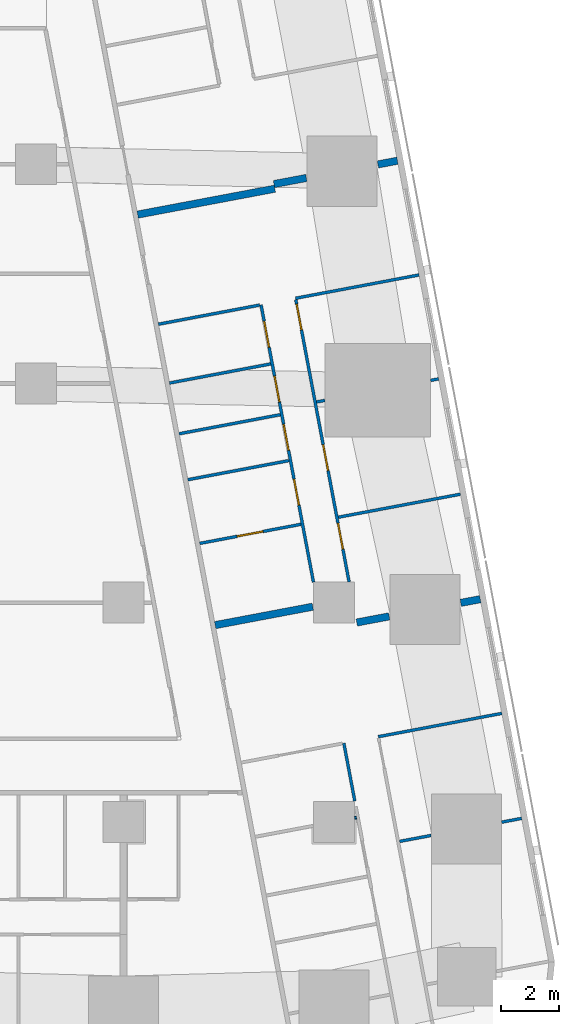
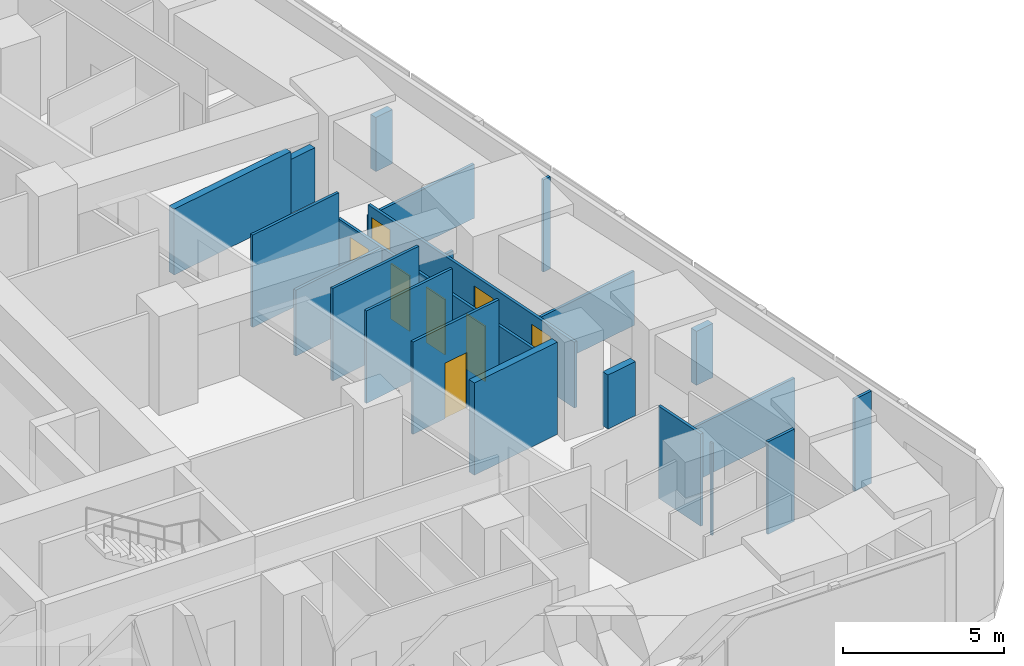
# One storey, part 11 of 17: 22 walls, 8 doors, 8 openings.
"""IFC4 building model written with IfcOpenShell, lengths in metres."""

from ifc_helpers import new_model, si_unit, direction, frame, frame_2d, origin, place, context, subcontext, project, spatial, rectangle, extrude, material, layer, layer_set, type_object, element, fill, save


model = new_model("IFC4")

# Units and contexts
model_context = context("Model", 3, precision=1e-05, world=origin(), true_north=direction((0.0, 1.0)))
body_context = subcontext(model_context, "Body", "Model", "MODEL_VIEW")
ifc_project = project(units=[si_unit("LENGTHUNIT", "METRE"), si_unit("AREAUNIT", "SQUARE_METRE"), si_unit("VOLUMEUNIT", "CUBIC_METRE"), si_unit("PLANEANGLEUNIT", "RADIAN"), si_unit("MASSUNIT", "GRAM", prefix="KILO")], contexts=[model_context])

# Site, building, storey
site_placement = place(None, origin())
site = spatial("IfcSite", under=ifc_project, at=site_placement, CompositionType="ELEMENT")
building_placement = place(site_placement, origin())
building = spatial("IfcBuilding", under=site, at=building_placement, Name="Sheger Commons Tower", CompositionType="ELEMENT")
storey_placement = place(building_placement, frame((0.0, 0.0, 212.449951171875)))
storey = spatial("IfcBuildingStorey", under=building, at=storey_placement, Name="L54", CompositionType="ELEMENT", Elevation=212.449951171875)

# Walls
ifc_material_1 = material(Name="Dense concrete block masonry, plastered both sides (separating wall between flats)", Category="masonry")
ifc_layer_1 = layer(ifc_material_1, 0.25)
ifc_layer_set_1 = layer_set([ifc_layer_1], Name="DEMISING WALL 250")
wall_type_1 = type_object("IfcWallType", Name="DEMISING WALL 250", PredefinedType="SOLIDWALL", material=ifc_layer_set_1)
wall_1_placement = place(storey_placement, frame((45.3720703125, 30.12109375, 0.0), z_axis=(0.0, 0.0, 1.0), x_axis=(-0.982347993061, -0.187062611252, 0.0)))
element("IfcWall", 1, at=wall_1_placement, inside=storey, type_object=wall_type_1, Name="Demising wall L54", PredefinedType="SOLIDWALL", context=body_context, shape_type="SweptSolid", body=[
    extrude(rectangle(XDim=0.679931640625, YDim=0.25, at=frame_2d((0.33984375, 0.0))), origin(), (0.0, 0.0, 1.0), 2.050048828125),
])
wall_2_placement = place(storey_placement, frame((42.256103515625, 29.531982421875, 0.0), z_axis=(0.0, 0.0, 1.0), x_axis=(-0.982549954272, -0.185998890749, 0.0)))
element("IfcWall", 2, at=wall_2_placement, inside=storey, type_object=wall_type_1, Name="Demising wall L54", PredefinedType="SOLIDWALL", context=body_context, shape_type="SweptSolid", body=[
    extrude(rectangle(XDim=1.12890625, YDim=0.25, at=frame_2d((0.564453125, 0.0))), origin(), (0.0, 0.0, 1.0), 2.050048828125),
])
wall_3_placement = place(storey_placement, frame((41.177001953125, 29.1640625, 0.0), z_axis=(0.0, 0.0, 1.0), x_axis=(-0.982642846239, -0.185507511263, 0.0)))
element("IfcWall", 3, at=wall_3_placement, inside=storey, type_object=wall_type_1, Name="Demising wall L54", PredefinedType="SOLIDWALL", context=body_context, shape_type="SweptSolid", body=[
    extrude(rectangle(XDim=4.776123046875, YDim=0.25, at=frame_2d((2.38818359375, 0.0))), origin(), (0.0, 0.0, 1.0), 2.5),
])
wall_4_placement = place(storey_placement, frame((48.2060546875, 15.1201171875, 0.0), z_axis=(0.0, 0.0, 1.0), x_axis=(-0.982610999048, -0.18567612811, 0.0)))
element("IfcWall", 4, at=wall_4_placement, inside=storey, type_object=wall_type_1, Name="Demising wall L54", PredefinedType="SOLIDWALL", context=body_context, shape_type="SweptSolid", body=[
    extrude(rectangle(XDim=0.6796875, YDim=0.25, at=frame_2d((0.33984375, 0.0))), origin(), (0.0, 0.0, 1.0), 2.050048828125),
])
wall_5_placement = place(storey_placement, frame((45.090087890625, 14.531005859375, 0.0), z_axis=(0.0, 0.0, 1.0), x_axis=(-0.982737354171, -0.185006196431, 0.0)))
element("IfcWall", 5, at=wall_5_placement, inside=storey, type_object=wall_type_1, Name="Demising wall L54", PredefinedType="SOLIDWALL", context=body_context, shape_type="SweptSolid", body=[
    extrude(rectangle(XDim=1.129638671875, YDim=0.25, at=frame_2d((0.56494140625, 0.0))), origin(), (0.0, 0.0, 1.0), 2.050048828125),
])
wall_6_placement = place(storey_placement, frame((42.47607421875, 14.863037109375, 0.0), z_axis=(0.0, 0.0, 1.0), x_axis=(-0.982603567712, -0.185715450942, 0.0)))
element("IfcWall", 6, at=wall_6_placement, inside=storey, type_object=wall_type_1, Name="Demising wall L54", PredefinedType="SOLIDWALL", context=body_context, shape_type="SweptSolid", body=[
    extrude(rectangle(XDim=3.398193359375, YDim=0.25, at=frame_2d((1.69921875, 0.0))), origin(), (0.0, 0.0, 1.0), 3.5),
])

# Wall, openings, doors
ifc_material_2 = material(Name="Gypsum board on steel studs", Category="steel")
ifc_layer_2 = layer(ifc_material_2, 0.10009765625)
ifc_layer_set_2 = layer_set([ifc_layer_2], Name="PARTITION 100")
wall_type_2 = type_object("IfcWallType", Name="PARTITION 100", PredefinedType="PARTITIONING", material=ifc_layer_set_2)
wall_7_placement = place(storey_placement, frame((41.89404296875, 25.365966796875, 0.0), z_axis=(0.0, 0.0, 1.0), x_axis=(0.185612905165, -0.982622943675, 0.0)))
wall_7 = element("IfcWall", 7, at=wall_7_placement, inside=storey, type_object=wall_type_2, Name="Partition L54", PredefinedType="PARTITIONING", context=body_context, shape_type="SweptSolid", body=[
    extrude(rectangle(XDim=9.82666015625, YDim=0.10009765625, at=frame_2d((4.913330078125, 0.0))), origin(), (0.0, 0.0, 1.0), 2.5),
])
opening_1_placement = place(wall_7_placement, frame((0.15087890625, 0.0, 0.0)))
opening_1 = element("IfcOpeningElement", 8, at=opening_1_placement, cuts=wall_7, Name="Opening D2", PredefinedType="OPENING", context=body_context, shape_type="SweptSolid", body=[
    extrude(rectangle(XDim=0.89990234375, YDim=2.10009765625, at=frame_2d((0.449951171875, 1.050048828125))), frame((0.0, 0.06005859375, 0.0), z_axis=(0.0, -1.0, 0.0), x_axis=(1.0, 0.0, 0.0)), (0.0, 0.0, 1.0), 0.1201171875),
])
opening_2_placement = place(wall_7_placement, frame((5.050048828125, 0.0, 0.0)))
opening_2 = element("IfcOpeningElement", 9, at=opening_2_placement, cuts=wall_7, Name="Opening D2", PredefinedType="OPENING", context=body_context, shape_type="SweptSolid", body=[
    extrude(rectangle(XDim=0.89990234375, YDim=2.10009765625, at=frame_2d((0.449951171875, 1.050048828125))), frame((0.0, 0.06005859375, 0.0), z_axis=(0.0, -1.0, 0.0), x_axis=(1.0, 0.0, 0.0)), (0.0, 0.0, 1.0), 0.1201171875),
])
opening_3_placement = place(wall_7_placement, frame((7.782958984375, 0.0, 0.0)))
opening_3 = element("IfcOpeningElement", 10, at=opening_3_placement, cuts=wall_7, Name="Opening D2", PredefinedType="OPENING", context=body_context, shape_type="SweptSolid", body=[
    extrude(rectangle(XDim=0.89990234375, YDim=2.10009765625, at=frame_2d((0.449951171875, 1.050048828125))), frame((0.0, 0.06005859375, 0.0), z_axis=(0.0, -1.0, 0.0), x_axis=(1.0, 0.0, 0.0)), (0.0, 0.0, 1.0), 0.1201171875),
])
ifc_material_3 = material(Name="Timber door set", Category="wood")
door_type = type_object("IfcDoorType", Name="INTERNAL DOOR 900x2100", OperationType="NOTDEFINED", PredefinedType="DOOR", material=ifc_material_3)
door_1_placement = place(opening_1_placement, origin())
door_1 = element("IfcDoor", 11, at=door_1_placement, inside=storey, type_object=door_type, Name="Main bedroom door", OperationType="SINGLE_SWING_LEFT", OverallHeight=2.10009765625, OverallWidth=0.89990234375, PredefinedType="DOOR", context=body_context, shape_type="SweptSolid", body=[
    extrude(rectangle(XDim=0.89990234375, YDim=2.10009765625, at=frame_2d((0.449951171875, 1.050048828125))), frame((0.0, 0.02490234375, 0.0), z_axis=(0.0, -1.0, 0.0), x_axis=(1.0, 0.0, 0.0)), (0.0, 0.0, 1.0), 0.050048828125),
])
fill(opening_1, door_1)
door_2_placement = place(opening_2_placement, origin())
door_2 = element("IfcDoor", 12, at=door_2_placement, inside=storey, type_object=door_type, Name="Bedroom 2 door", OperationType="SINGLE_SWING_LEFT", OverallHeight=2.10009765625, OverallWidth=0.89990234375, PredefinedType="DOOR", context=body_context, shape_type="SweptSolid", body=[
    extrude(rectangle(XDim=0.89990234375, YDim=2.10009765625, at=frame_2d((0.449951171875, 1.050048828125))), frame((0.0, 0.02490234375, 0.0), z_axis=(0.0, -1.0, 0.0), x_axis=(1.0, 0.0, 0.0)), (0.0, 0.0, 1.0), 0.050048828125),
])
fill(opening_2, door_2)
door_3_placement = place(opening_3_placement, origin())
door_3 = element("IfcDoor", 13, at=door_3_placement, inside=storey, type_object=door_type, Name="Bedroom 3 door", OperationType="SINGLE_SWING_LEFT", OverallHeight=2.10009765625, OverallWidth=0.89990234375, PredefinedType="DOOR", context=body_context, shape_type="SweptSolid", body=[
    extrude(rectangle(XDim=0.89990234375, YDim=2.10009765625, at=frame_2d((0.449951171875, 1.050048828125))), frame((0.0, 0.02490234375, 0.0), z_axis=(0.0, -1.0, 0.0), x_axis=(1.0, 0.0, 0.0)), (0.0, 0.0, 1.0), 0.050048828125),
])
fill(opening_3, door_3)

wall_8_placement = place(storey_placement, frame((40.7060546875, 25.19189453125, 0.0), z_axis=(0.0, 0.0, 1.0), x_axis=(0.185629824463, -0.982619747547, 0.0)))
wall_8 = element("IfcWall", 14, at=wall_8_placement, inside=storey, type_object=wall_type_2, Name="Partition L54", PredefinedType="PARTITIONING", context=body_context, shape_type="SweptSolid", body=[
    extrude(rectangle(XDim=9.658935546875, YDim=0.10009765625, at=frame_2d((4.82958984375, 0.0))), origin(), (0.0, 0.0, 1.0), 2.5),
])
opening_4_placement = place(wall_8_placement, frame((0.574951171875, 0.0, 0.0)))
opening_4 = element("IfcOpeningElement", 15, at=opening_4_placement, cuts=wall_8, Name="Opening D2", PredefinedType="OPENING", context=body_context, shape_type="SweptSolid", body=[
    extrude(rectangle(XDim=0.89990234375, YDim=2.10009765625, at=frame_2d((0.449951171875, 1.050048828125))), frame((0.0, 0.06005859375, 0.0), z_axis=(0.0, -1.0, 0.0), x_axis=(1.0, 0.0, 0.0)), (0.0, 0.0, 1.0), 0.1201171875),
])
opening_5_placement = place(wall_8_placement, frame((4.166015625, 0.0, 0.0)))
opening_5 = element("IfcOpeningElement", 16, at=opening_5_placement, cuts=wall_8, Name="Opening D2", PredefinedType="OPENING", context=body_context, shape_type="SweptSolid", body=[
    extrude(rectangle(XDim=0.89990234375, YDim=2.10009765625, at=frame_2d((0.449951171875, 1.050048828125))), frame((0.0, 0.06005859375, 0.0), z_axis=(0.0, -1.0, 0.0), x_axis=(1.0, 0.0, 0.0)), (0.0, 0.0, 1.0), 0.1201171875),
])
opening_6_placement = place(wall_8_placement, frame((2.48291015625, 0.0, 0.0)))
opening_6 = element("IfcOpeningElement", 17, at=opening_6_placement, cuts=wall_8, Name="Opening D2", PredefinedType="OPENING", context=body_context, shape_type="SweptSolid", body=[
    extrude(rectangle(XDim=0.89990234375, YDim=2.10009765625, at=frame_2d((0.449951171875, 1.050048828125))), frame((0.0, 0.06005859375, 0.0), z_axis=(0.0, -1.0, 0.0), x_axis=(1.0, 0.0, 0.0)), (0.0, 0.0, 1.0), 0.1201171875),
])
opening_7_placement = place(wall_8_placement, frame((6.073974609375, 0.0, 0.0)))
opening_7 = element("IfcOpeningElement", 18, at=opening_7_placement, cuts=wall_8, Name="Opening D2", PredefinedType="OPENING", context=body_context, shape_type="SweptSolid", body=[
    extrude(rectangle(XDim=0.89990234375, YDim=2.10009765625, at=frame_2d((0.449951171875, 1.050048828125))), frame((0.0, 0.06005859375, 0.0), z_axis=(0.0, -1.0, 0.0), x_axis=(1.0, 0.0, 0.0)), (0.0, 0.0, 1.0), 0.1201171875),
])
door_4_placement = place(opening_4_placement, origin())
door_4 = element("IfcDoor", 19, at=door_4_placement, inside=storey, type_object=door_type, Name="Bathroom door", OperationType="SINGLE_SWING_RIGHT", OverallHeight=2.10009765625, OverallWidth=0.89990234375, PredefinedType="DOOR", context=body_context, shape_type="SweptSolid", body=[
    extrude(rectangle(XDim=0.89990234375, YDim=2.10009765625, at=frame_2d((0.449951171875, 1.050048828125))), frame((0.0, 0.02490234375, 0.0), z_axis=(0.0, -1.0, 0.0), x_axis=(1.0, 0.0, 0.0)), (0.0, 0.0, 1.0), 0.050048828125),
])
fill(opening_4, door_4)
door_5_placement = place(opening_5_placement, origin())
door_5 = element("IfcDoor", 20, at=door_5_placement, inside=storey, type_object=door_type, Name="Shower room door", OperationType="SINGLE_SWING_LEFT", OverallHeight=2.10009765625, OverallWidth=0.89990234375, PredefinedType="DOOR", context=body_context, shape_type="SweptSolid", body=[
    extrude(rectangle(XDim=0.89990234375, YDim=2.10009765625, at=frame_2d((0.449951171875, 1.050048828125))), frame((0.0, 0.02490234375, 0.0), z_axis=(0.0, -1.0, 0.0), x_axis=(1.0, 0.0, 0.0)), (0.0, 0.0, 1.0), 0.050048828125),
])
fill(opening_5, door_5)
door_6_placement = place(opening_6_placement, origin())
door_6 = element("IfcDoor", 21, at=door_6_placement, inside=storey, type_object=door_type, Name="Store door", OperationType="SINGLE_SWING_LEFT", OverallHeight=2.10009765625, OverallWidth=0.89990234375, PredefinedType="DOOR", context=body_context, shape_type="SweptSolid", body=[
    extrude(rectangle(XDim=0.89990234375, YDim=2.10009765625, at=frame_2d((0.449951171875, 1.050048828125))), frame((0.0, 0.02490234375, 0.0), z_axis=(0.0, -1.0, 0.0), x_axis=(1.0, 0.0, 0.0)), (0.0, 0.0, 1.0), 0.050048828125),
])
fill(opening_6, door_6)
door_7_placement = place(opening_7_placement, origin())
door_7 = element("IfcDoor", 22, at=door_7_placement, inside=storey, type_object=door_type, Name="Store door", OperationType="SINGLE_SWING_RIGHT", OverallHeight=2.10009765625, OverallWidth=0.89990234375, PredefinedType="DOOR", context=body_context, shape_type="SweptSolid", body=[
    extrude(rectangle(XDim=0.89990234375, YDim=2.10009765625, at=frame_2d((0.449951171875, 1.050048828125))), frame((0.0, 0.02490234375, 0.0), z_axis=(0.0, -1.0, 0.0), x_axis=(1.0, 0.0, 0.0)), (0.0, 0.0, 1.0), 0.050048828125),
])
fill(opening_7, door_7)

# Walls
wall_9_placement = place(storey_placement, frame((46.110107421875, 26.212890625, 0.0), z_axis=(0.0, 0.0, 1.0), x_axis=(-0.982633535512, -0.185556823879, 0.0)))
element("IfcWall", 23, at=wall_9_placement, inside=storey, type_object=wall_type_2, Name="Partition L54", PredefinedType="PARTITIONING", context=body_context, shape_type="SweptSolid", body=[
    extrude(rectangle(XDim=4.2998046875, YDim=0.10009765625, at=frame_2d((2.14990234375, 0.0))), origin(), (0.0, 0.0, 1.0), 2.050048828125),
])
wall_10_placement = place(storey_placement, frame((46.781982421875, 22.656982421875, 0.0), z_axis=(0.0, 0.0, 1.0), x_axis=(-0.982574553168, -0.185868898601, 0.0)))
element("IfcWall", 24, at=wall_10_placement, inside=storey, type_object=wall_type_2, Name="Partition L54", PredefinedType="PARTITIONING", context=body_context, shape_type="SweptSolid", body=[
    extrude(rectangle(XDim=0.27978515625, YDim=0.10009765625, at=frame_2d((0.139892578125, 0.0))), origin(), (0.0, 0.0, 1.0), 3.5),
])
wall_11_placement = place(storey_placement, frame((42.886962890625, 21.9208984375, 0.0), z_axis=(0.0, 0.0, 1.0), x_axis=(-0.982688058078, -0.185267861514, 0.0)))
element("IfcWall", 25, at=wall_11_placement, inside=storey, type_object=wall_type_2, Name="Partition L54", PredefinedType="PARTITIONING", context=body_context, shape_type="SweptSolid", body=[
    extrude(rectangle(XDim=0.285888671875, YDim=0.10009765625, at=frame_2d((0.14306640625, 0.0))), origin(), (0.0, 0.0, 1.0), 2.5),
])
wall_12_placement = place(storey_placement, frame((47.527099609375, 18.7119140625, 0.0), z_axis=(0.0, 0.0, 1.0), x_axis=(-0.982665405803, -0.185387972203, 0.0)))
element("IfcWall", 26, at=wall_12_placement, inside=storey, type_object=wall_type_2, Name="Partition L54", PredefinedType="PARTITIONING", context=body_context, shape_type="SweptSolid", body=[
    extrude(rectangle(XDim=4.249755859375, YDim=0.10009765625, at=frame_2d((2.125, 0.0))), origin(), (0.0, 0.0, 1.0), 2.050048828125),
])
wall_13_placement = place(storey_placement, frame((40.656982421875, 25.18310546875, 0.0), z_axis=(0.0, 0.0, 1.0), x_axis=(-0.982585626838, -0.185810349366, 0.0)))
element("IfcWall", 27, at=wall_13_placement, inside=storey, type_object=wall_type_2, Name="Partition L54", PredefinedType="PARTITIONING", context=body_context, shape_type="SweptSolid", body=[
    extrude(rectangle(XDim=3.525146484375, YDim=0.10009765625, at=frame_2d((1.7626953125, 0.0))), origin(), (0.0, 0.0, 1.0), 3.5),
])
wall_14_placement = place(storey_placement, frame((41.364990234375, 21.43310546875, 0.0), z_axis=(0.0, 0.0, 1.0), x_axis=(-0.982638553676, -0.185530247748, 0.0)))
element("IfcWall", 28, at=wall_14_placement, inside=storey, type_object=wall_type_2, Name="Partition L54", PredefinedType="PARTITIONING", context=body_context, shape_type="SweptSolid", body=[
    extrude(rectangle(XDim=3.525390625, YDim=0.10009765625, at=frame_2d((1.7626953125, 0.0))), origin(), (0.0, 0.0, 1.0), 3.5),
])

# Wall, opening, door
wall_15_placement = place(storey_placement, frame((42.072998046875, 17.681884765625, 0.0), z_axis=(0.0, 0.0, 1.0), x_axis=(-0.98265117712, -0.185463376723, 0.0)))
wall_15 = element("IfcWall", 29, at=wall_15_placement, inside=storey, type_object=wall_type_2, Name="Partition L54", PredefinedType="PARTITIONING", context=body_context, shape_type="SweptSolid", body=[
    extrude(rectangle(XDim=3.525390625, YDim=0.10009765625, at=frame_2d((1.7626953125, 0.0))), origin(), (0.0, 0.0, 1.0), 3.5),
])
opening_8_placement = place(wall_15_placement, frame((1.324951171875, 0.0, 0.0)))
opening_8 = element("IfcOpeningElement", 30, at=opening_8_placement, cuts=wall_15, Name="Opening D2", PredefinedType="OPENING", context=body_context, shape_type="SweptSolid", body=[
    extrude(rectangle(XDim=0.89990234375, YDim=2.10009765625, at=frame_2d((0.449951171875, 1.050048828125))), frame((0.0, 0.06005859375, 0.0), z_axis=(0.0, -1.0, 0.0), x_axis=(1.0, 0.0, 0.0)), (0.0, 0.0, 1.0), 0.1201171875),
])
door_8_placement = place(opening_8_placement, origin())
door_8 = element("IfcDoor", 31, at=door_8_placement, inside=storey, type_object=door_type, Name="Store door", OperationType="SINGLE_SWING_LEFT", OverallHeight=2.10009765625, OverallWidth=0.89990234375, PredefinedType="DOOR", context=body_context, shape_type="SweptSolid", body=[
    extrude(rectangle(XDim=0.89990234375, YDim=2.10009765625, at=frame_2d((0.449951171875, 1.050048828125))), frame((0.0, 0.02490234375, 0.0), z_axis=(0.0, -1.0, 0.0), x_axis=(1.0, 0.0, 0.0)), (0.0, 0.0, 1.0), 0.050048828125),
])
fill(opening_8, door_8)

# Walls
wall_16_placement = place(storey_placement, frame((41.037109375, 23.16796875, 0.0), z_axis=(0.0, 0.0, 1.0), x_axis=(-0.982638553676, -0.185530247748, 0.0)))
element("IfcWall", 32, at=wall_16_placement, inside=storey, type_object=wall_type_2, Name="Partition L54", PredefinedType="PARTITIONING", context=body_context, shape_type="SweptSolid", body=[
    extrude(rectangle(XDim=3.525390625, YDim=0.10009765625, at=frame_2d((1.7626953125, 0.0))), origin(), (0.0, 0.0, 1.0), 2.5),
])
wall_17_placement = place(storey_placement, frame((41.662109375, 19.861083984375, 0.0), z_axis=(0.0, 0.0, 1.0), x_axis=(-0.982588017646, -0.185797706064, 0.0)))
element("IfcWall", 33, at=wall_17_placement, inside=storey, type_object=wall_type_2, Name="Partition L54", PredefinedType="PARTITIONING", context=body_context, shape_type="SweptSolid", body=[
    extrude(rectangle(XDim=3.525390625, YDim=0.10009765625, at=frame_2d((1.7626953125, 0.0))), origin(), (0.0, 0.0, 1.0), 3.5),
])
wall_18_placement = place(storey_placement, frame((43.5390625, 10.19189453125, 0.0), z_axis=(0.0, 0.0, 1.0), x_axis=(0.185443145218, -0.982654995353, 0.0)))
element("IfcWall", 34, at=wall_18_placement, inside=storey, type_object=wall_type_2, Name="Partition L54", PredefinedType="PARTITIONING", context=body_context, shape_type="SweptSolid", body=[
    extrude(rectangle(XDim=2.016845703125, YDim=0.10009765625, at=frame_2d((1.00830078125, 0.0))), origin(), (0.0, 0.0, 1.0), 3.5),
])
wall_19_placement = place(storey_placement, frame((48.943115234375, 11.212890625, 0.0), z_axis=(0.0, 0.0, 1.0), x_axis=(-0.982633535512, -0.185556823879, 0.0)))
element("IfcWall", 35, at=wall_19_placement, inside=storey, type_object=wall_type_2, Name="Partition L54", PredefinedType="PARTITIONING", context=body_context, shape_type="SweptSolid", body=[
    extrude(rectangle(XDim=4.2998046875, YDim=0.10009765625, at=frame_2d((2.14990234375, 0.0))), origin(), (0.0, 0.0, 1.0), 2.050048828125),
])
wall_20_placement = place(storey_placement, frame((49.6220703125, 7.6201171875, 0.0), z_axis=(0.0, 0.0, 1.0), x_axis=(-0.98254419619, -0.186029305578, 0.0)))
element("IfcWall", 36, at=wall_20_placement, inside=storey, type_object=wall_type_2, Name="Partition L54", PredefinedType="PARTITIONING", context=body_context, shape_type="SweptSolid", body=[
    extrude(rectangle(XDim=0.6943359375, YDim=0.10009765625, at=frame_2d((0.34716796875, 0.0))), origin(), (0.0, 0.0, 1.0), 3.5),
])
wall_21_placement = place(storey_placement, frame((46.52001953125, 7.034912109375, 0.0), z_axis=(0.0, 0.0, 1.0), x_axis=(-0.982620932907, -0.185623549726, 0.0)))
element("IfcWall", 37, at=wall_21_placement, inside=storey, type_object=wall_type_2, Name="Partition L54", PredefinedType="PARTITIONING", context=body_context, shape_type="SweptSolid", body=[
    extrude(rectangle(XDim=1.093017578125, YDim=0.10009765625, at=frame_2d((0.54638671875, 0.0))), origin(), (0.0, 0.0, 1.0), 3.5),
])
wall_22_placement = place(storey_placement, frame((43.968994140625, 7.64599609375, 0.0), z_axis=(0.0, 0.0, 1.0), x_axis=(-0.983147034646, -0.182816597351, 0.0)))
element("IfcWall", 38, at=wall_22_placement, inside=storey, type_object=wall_type_2, Name="Partition L54", PredefinedType="PARTITIONING", context=body_context, shape_type="SweptSolid", body=[
    extrude(rectangle(XDim=0.06005859375, YDim=0.10009765625, at=frame_2d((0.030029296875, 0.0))), origin(), (0.0, 0.0, 1.0), 3.5),
])

save(model, "model.ifc")
